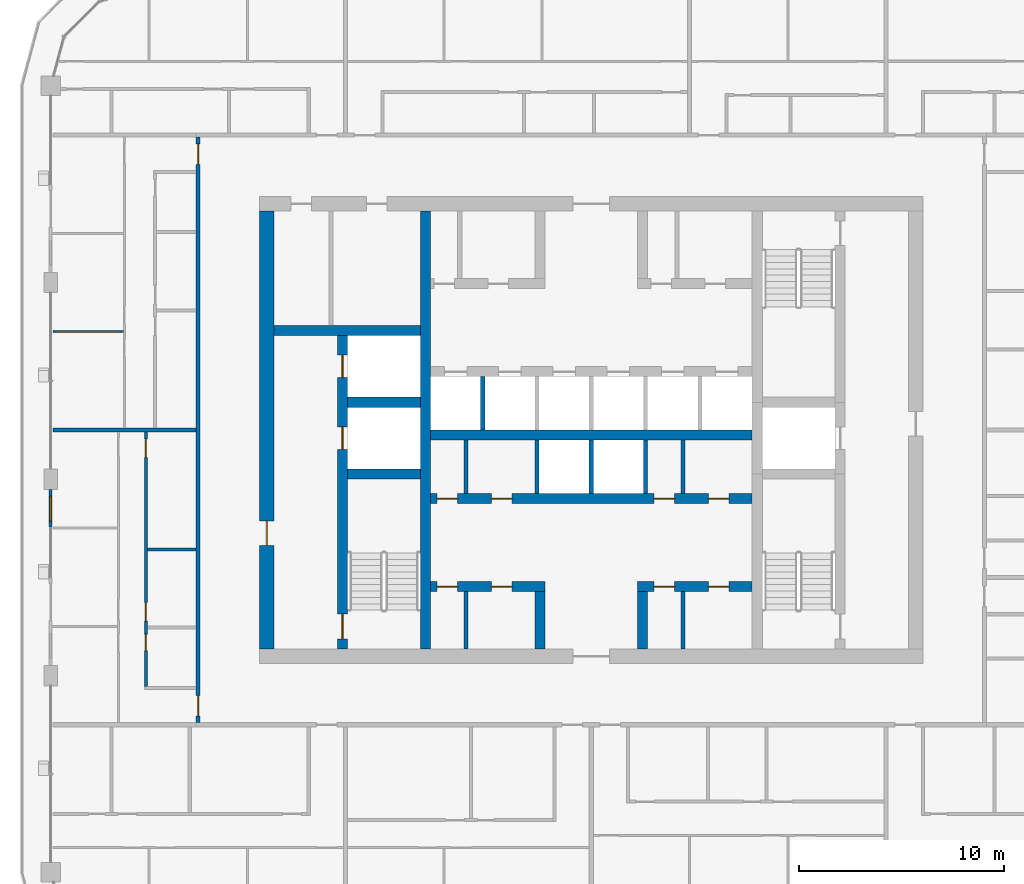
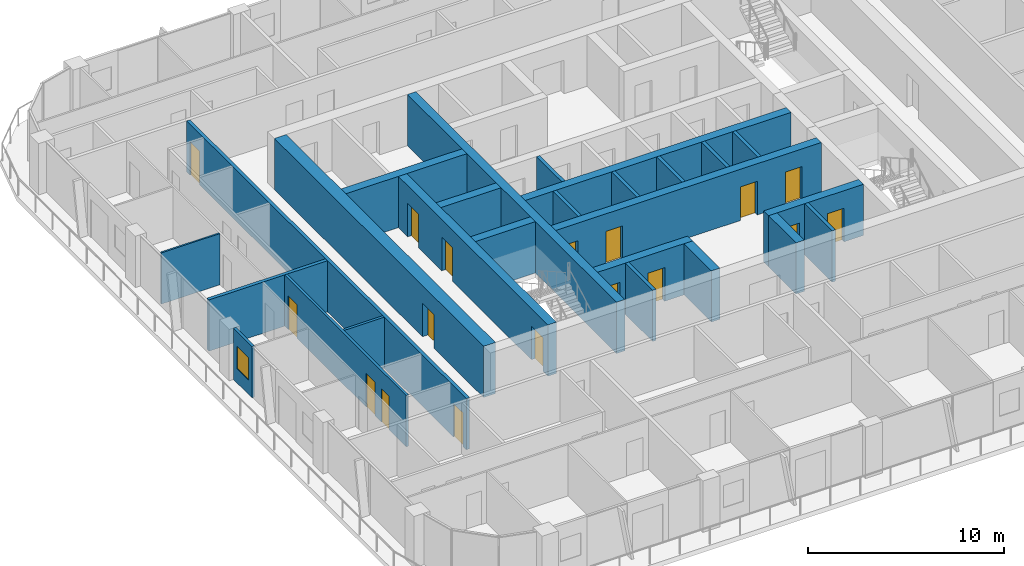
# One storey, part 10 of 22: 26 walls, 17 doors, 1 window, 18 openings.
"""IFC4 building model written with IfcOpenShell, lengths in metres."""

from ifc_helpers import new_model, si_unit, direction, frame, frame_2d, origin, place, context, subcontext, project, spatial, rectangle, extrude, material, layer, layer_set, type_object, element, fill, save


model = new_model("IFC4")

# Units and contexts
model_context = context("Model", 3, precision=1e-05, world=origin(), true_north=direction((0.0, 1.0)))
body_context = subcontext(model_context, "Body", "Model", "MODEL_VIEW")
ifc_project = project(units=[si_unit("LENGTHUNIT", "METRE"), si_unit("AREAUNIT", "SQUARE_METRE"), si_unit("VOLUMEUNIT", "CUBIC_METRE"), si_unit("PLANEANGLEUNIT", "RADIAN"), si_unit("MASSUNIT", "GRAM", prefix="KILO")], contexts=[model_context])

# Site, building, storey
site_placement = place(None, origin())
site = spatial("IfcSite", under=ifc_project, at=site_placement, CompositionType="ELEMENT")
building_placement = place(site_placement, origin())
building = spatial("IfcBuilding", under=site, at=building_placement, Name="Madar Terraces", CompositionType="ELEMENT")
storey_placement = place(building_placement, frame((0.0, 0.0, 189.39990234375)))
storey = spatial("IfcBuildingStorey", under=building, at=storey_placement, Name="L49", CompositionType="ELEMENT", Elevation=189.39990234375)

# Wall, openings, doors
ifc_material_1 = material(Name="Concrete C60/75", Category="concrete")
ifc_layer_1 = layer(ifc_material_1, 0.5)
ifc_layer_set_1 = layer_set([ifc_layer_1], Name="Concrete C60/75 (CIW4 RC wall 500)")
wall_type_1 = type_object("IfcWallType", Name="CIW4 RC wall 500", PredefinedType="SHEAR", material=ifc_layer_set_1)
wall_1_placement = place(storey_placement, frame((19.050048828125, 15.699951171875, 0.0), z_axis=(0.0, 0.0, 1.0), x_axis=(0.0, 1.0, 0.0)))
wall_1 = element("IfcWall", 1, at=wall_1_placement, inside=storey, type_object=wall_type_1, Name="CORE SHAFT WALL", PredefinedType="SHEAR", context=body_context, shape_type="SweptSolid", body=[
    extrude(rectangle(XDim=15.300048828125, YDim=0.5, at=frame_2d((7.64990234375, 0.0))), origin(), (0.0, 0.0, 1.0), 3.2001953125),
])
opening_1_placement = place(wall_1_placement, frame((9.75, 0.0, 0.0)))
opening_1 = element("IfcOpeningElement", 2, at=opening_1_placement, cuts=wall_1, Name="Opening LD", PredefinedType="OPENING", context=body_context, shape_type="SweptSolid", body=[
    extrude(rectangle(XDim=1.10009765625, YDim=2.10009765625, at=frame_2d((0.550048828125, 1.050048828125))), frame((0.0, 0.260009765625, 0.0), z_axis=(0.0, -1.0, 0.0), x_axis=(1.0, 0.0, 0.0)), (0.0, 0.0, 1.0), 0.52001953125),
])
opening_2_placement = place(wall_1_placement, frame((13.25, 0.0, 0.0)))
opening_2 = element("IfcOpeningElement", 3, at=opening_2_placement, cuts=wall_1, Name="Opening LD", PredefinedType="OPENING", context=body_context, shape_type="SweptSolid", body=[
    extrude(rectangle(XDim=1.10009765625, YDim=2.10009765625, at=frame_2d((0.550048828125, 1.050048828125))), frame((0.0, 0.260009765625, 0.0), z_axis=(0.0, -1.0, 0.0), x_axis=(1.0, 0.0, 0.0)), (0.0, 0.0, 1.0), 0.52001953125),
])
opening_3_placement = place(wall_1_placement, frame((0.5, 0.0, 0.0)))
opening_3 = element("IfcOpeningElement", 4, at=opening_3_placement, cuts=wall_1, Name="Opening SD1", PredefinedType="OPENING", context=body_context, shape_type="SweptSolid", body=[
    extrude(rectangle(XDim=1.199951171875, YDim=2.10009765625, at=frame_2d((0.60009765625, 1.050048828125))), frame((0.0, 0.260009765625, 0.0), z_axis=(0.0, -1.0, 0.0), x_axis=(1.0, 0.0, 0.0)), (0.0, 0.0, 1.0), 0.52001953125),
])
ifc_material_2 = material(Name="Stainless steel panel", Category="steel")
door_type_1 = type_object("IfcDoorType", Name="Lift landing door 1100 x 2100", OperationType="DOUBLE_DOOR_SLIDING", PredefinedType="DOOR", material=ifc_material_2)
door_1_placement = place(opening_1_placement, origin())
door_1 = element("IfcDoor", 5, at=door_1_placement, inside=storey, type_object=door_type_1, Name="LIFT LANDING DOOR", OperationType="DOUBLE_DOOR_SLIDING", OverallHeight=2.10009765625, OverallWidth=1.10009765625, PredefinedType="DOOR", context=body_context, shape_type="SweptSolid", body=[
    extrude(rectangle(XDim=1.10009765625, YDim=2.10009765625, at=frame_2d((0.550048828125, 1.050048828125))), frame((0.0, 0.02490234375, 0.0), z_axis=(0.0, -1.0, 0.0), x_axis=(1.0, 0.0, 0.0)), (0.0, 0.0, 1.0), 0.050048828125),
])
fill(opening_1, door_1)
door_2_placement = place(opening_2_placement, origin())
door_2 = element("IfcDoor", 6, at=door_2_placement, inside=storey, type_object=door_type_1, Name="LIFT LANDING DOOR", OperationType="DOUBLE_DOOR_SLIDING", OverallHeight=2.10009765625, OverallWidth=1.10009765625, PredefinedType="DOOR", context=body_context, shape_type="SweptSolid", body=[
    extrude(rectangle(XDim=1.10009765625, YDim=2.10009765625, at=frame_2d((0.550048828125, 1.050048828125))), frame((0.0, 0.02490234375, 0.0), z_axis=(0.0, -1.0, 0.0), x_axis=(1.0, 0.0, 0.0)), (0.0, 0.0, 1.0), 0.050048828125),
])
fill(opening_2, door_2)
ifc_material_3 = material(Name="Steel door leaf", Category="steel")
door_type_2 = type_object("IfcDoorType", Name="Stair door 1200 x 2100", OperationType="NOTDEFINED", PredefinedType="DOOR", material=ifc_material_3)
door_3_placement = place(opening_3_placement, frame((1.199951171875, 0.0, 0.0), z_axis=(0.0, 0.0, 1.0), x_axis=(-1.0, 0.0, 0.0)))
door_3 = element("IfcDoor", 7, at=door_3_placement, inside=storey, type_object=door_type_2, Name="STAIR DOOR", OperationType="SINGLE_SWING_LEFT", OverallHeight=2.10009765625, OverallWidth=1.199951171875, PredefinedType="DOOR", context=body_context, shape_type="SweptSolid", body=[
    extrude(rectangle(XDim=1.199951171875, YDim=2.10009765625, at=frame_2d((0.60009765625, 1.050048828125))), frame((0.0, 0.02490234375, 0.0), z_axis=(0.0, -1.0, 0.0), x_axis=(1.0, 0.0, 0.0)), (0.0, 0.0, 1.0), 0.050048828125),
])
fill(opening_3, door_3)

# Walls
wall_2_placement = place(storey_placement, frame((23.10009765625, 15.699951171875, 0.0), z_axis=(0.0, 0.0, 1.0), x_axis=(0.0, 1.0, 0.0)))
element("IfcWall", 8, at=wall_2_placement, inside=storey, type_object=wall_type_1, Name="CORE SHAFT WALL", PredefinedType="SHEAR", context=body_context, shape_type="SweptSolid", body=[
    extrude(rectangle(XDim=21.400146484375, YDim=0.5, at=frame_2d((10.7001953125, 0.0))), origin(), (0.0, 0.0, 1.0), 3.2001953125),
])
for number, where, z_axis, x_axis, name in (
    (9, (19.300048828125, 24.25, 0.0), (0.0, 0.0, 1.0), (1.0, 0.0, 0.0), "CORE SHAFT WALL"),
    (10, (19.300048828125, 27.75, 0.0), (0.0, 0.0, 1.0), (1.0, 0.0, 0.0), "CORE SHAFT WALL"),
):
    element("IfcWall", number, at=place(storey_placement, frame(where, z_axis=z_axis, x_axis=x_axis)), inside=storey, type_object=wall_type_1, Name=name, PredefinedType="SHEAR", context=body_context, shape_type="SweptSolid", body=[
        extrude(rectangle(XDim=3.550048828125, YDim=0.5, at=frame_2d((1.77490234375, 0.0))), origin(), (0.0, 0.0, 1.0), 3.2001953125),
    ])
wall_3_placement = place(storey_placement, frame((15.699951171875, 31.25, 0.0), z_axis=(0.0, 0.0, 1.0), x_axis=(1.0, 0.0, 0.0)))
element("IfcWall", 11, at=wall_3_placement, inside=storey, type_object=wall_type_1, Name="CORE SHAFT WALL", PredefinedType="SHEAR", context=body_context, shape_type="SweptSolid", body=[
    extrude(rectangle(XDim=7.150146484375, YDim=0.5, at=frame_2d((3.5751953125, 0.0))), origin(), (0.0, 0.0, 1.0), 3.2001953125),
])

# Wall, openings, doors
wall_4_placement = place(storey_placement, frame((23.35009765625, 18.75, 0.0), z_axis=(0.0, 0.0, 1.0), x_axis=(1.0, 0.0, 0.0)))
wall_4 = element("IfcWall", 12, at=wall_4_placement, inside=storey, type_object=wall_type_1, Name="CORE SHAFT WALL", PredefinedType="SHEAR", context=body_context, shape_type="SweptSolid", body=[
    extrude(rectangle(XDim=5.599853515625, YDim=0.5, at=frame_2d((2.7998046875, 0.0))), origin(), (0.0, 0.0, 1.0), 3.2001953125),
])
opening_4_placement = place(wall_4_placement, frame((0.31689453125, 0.0, 0.0)))
opening_4 = element("IfcOpeningElement", 13, at=opening_4_placement, cuts=wall_4, Name="Opening KD2", PredefinedType="OPENING", context=body_context, shape_type="SweptSolid", body=[
    extrude(rectangle(XDim=1.0, YDim=2.10009765625, at=frame_2d((0.5, 1.050048828125))), frame((0.0, 0.260009765625, 0.0), z_axis=(0.0, -1.0, 0.0), x_axis=(1.0, 0.0, 0.0)), (0.0, 0.0, 1.0), 0.52001953125),
])
opening_5_placement = place(wall_4_placement, frame((2.967041015625, 0.0, 0.0)))
opening_5 = element("IfcOpeningElement", 14, at=opening_5_placement, cuts=wall_4, Name="Opening KD2", PredefinedType="OPENING", context=body_context, shape_type="SweptSolid", body=[
    extrude(rectangle(XDim=1.0, YDim=2.10009765625, at=frame_2d((0.5, 1.050048828125))), frame((0.0, 0.260009765625, 0.0), z_axis=(0.0, -1.0, 0.0), x_axis=(1.0, 0.0, 0.0)), (0.0, 0.0, 1.0), 0.52001953125),
])
ifc_material_4 = material(Name="Steel door leaf", Category="steel")
door_type_3 = type_object("IfcDoorType", Name="Service room door 1000 x 2100", OperationType="NOTDEFINED", PredefinedType="DOOR", material=ifc_material_4)
door_4_placement = place(opening_4_placement, origin())
door_4 = element("IfcDoor", 15, at=door_4_placement, inside=storey, type_object=door_type_3, Name="SERVICE ROOM DOOR", OperationType="SINGLE_SWING_RIGHT", OverallHeight=2.10009765625, OverallWidth=1.0, PredefinedType="DOOR", context=body_context, shape_type="SweptSolid", body=[
    extrude(rectangle(XDim=1.0, YDim=2.10009765625, at=frame_2d((0.5, 1.050048828125))), frame((0.0, 0.02490234375, 0.0), z_axis=(0.0, -1.0, 0.0), x_axis=(1.0, 0.0, 0.0)), (0.0, 0.0, 1.0), 0.050048828125),
])
fill(opening_4, door_4)
door_5_placement = place(opening_5_placement, origin())
door_5 = element("IfcDoor", 16, at=door_5_placement, inside=storey, type_object=door_type_3, Name="SERVICE ROOM DOOR", OperationType="SINGLE_SWING_LEFT", OverallHeight=2.10009765625, OverallWidth=1.0, PredefinedType="DOOR", context=body_context, shape_type="SweptSolid", body=[
    extrude(rectangle(XDim=1.0, YDim=2.10009765625, at=frame_2d((0.5, 1.050048828125))), frame((0.0, 0.02490234375, 0.0), z_axis=(0.0, -1.0, 0.0), x_axis=(1.0, 0.0, 0.0)), (0.0, 0.0, 1.0), 0.050048828125),
])
fill(opening_5, door_5)

wall_5_placement = place(storey_placement, frame((33.449951171875, 18.75, 0.0), z_axis=(0.0, 0.0, 1.0), x_axis=(1.0, 0.0, 0.0)))
wall_5 = element("IfcWall", 17, at=wall_5_placement, inside=storey, type_object=wall_type_1, Name="CORE SHAFT WALL", PredefinedType="SHEAR", context=body_context, shape_type="SweptSolid", body=[
    extrude(rectangle(XDim=5.60009765625, YDim=0.5, at=frame_2d((2.800048828125, 0.0))), origin(), (0.0, 0.0, 1.0), 3.2001953125),
])
opening_6_placement = place(wall_5_placement, frame((0.81689453125, 0.0, 0.0)))
opening_6 = element("IfcOpeningElement", 18, at=opening_6_placement, cuts=wall_5, Name="Opening KD2", PredefinedType="OPENING", context=body_context, shape_type="SweptSolid", body=[
    extrude(rectangle(XDim=1.0, YDim=2.10009765625, at=frame_2d((0.5, 1.050048828125))), frame((0.0, 0.260009765625, 0.0), z_axis=(0.0, -1.0, 0.0), x_axis=(1.0, 0.0, 0.0)), (0.0, 0.0, 1.0), 0.52001953125),
])
opening_7_placement = place(wall_5_placement, frame((3.467041015625, 0.0, 0.0)))
opening_7 = element("IfcOpeningElement", 19, at=opening_7_placement, cuts=wall_5, Name="Opening KD2", PredefinedType="OPENING", context=body_context, shape_type="SweptSolid", body=[
    extrude(rectangle(XDim=1.0, YDim=2.10009765625, at=frame_2d((0.5, 1.050048828125))), frame((0.0, 0.260009765625, 0.0), z_axis=(0.0, -1.0, 0.0), x_axis=(1.0, 0.0, 0.0)), (0.0, 0.0, 1.0), 0.52001953125),
])
door_6_placement = place(opening_6_placement, origin())
door_6 = element("IfcDoor", 20, at=door_6_placement, inside=storey, type_object=door_type_3, Name="SERVICE ROOM DOOR", OperationType="SINGLE_SWING_RIGHT", OverallHeight=2.10009765625, OverallWidth=1.0, PredefinedType="DOOR", context=body_context, shape_type="SweptSolid", body=[
    extrude(rectangle(XDim=1.0, YDim=2.10009765625, at=frame_2d((0.5, 1.050048828125))), frame((0.0, 0.02490234375, 0.0), z_axis=(0.0, -1.0, 0.0), x_axis=(1.0, 0.0, 0.0)), (0.0, 0.0, 1.0), 0.050048828125),
])
fill(opening_6, door_6)
door_7_placement = place(opening_7_placement, origin())
door_7 = element("IfcDoor", 21, at=door_7_placement, inside=storey, type_object=door_type_3, Name="SERVICE ROOM DOOR", OperationType="SINGLE_SWING_LEFT", OverallHeight=2.10009765625, OverallWidth=1.0, PredefinedType="DOOR", context=body_context, shape_type="SweptSolid", body=[
    extrude(rectangle(XDim=1.0, YDim=2.10009765625, at=frame_2d((0.5, 1.050048828125))), frame((0.0, 0.02490234375, 0.0), z_axis=(0.0, -1.0, 0.0), x_axis=(1.0, 0.0, 0.0)), (0.0, 0.0, 1.0), 0.050048828125),
])
fill(opening_7, door_7)

wall_6_placement = place(storey_placement, frame((23.35009765625, 23.050048828125, 0.0), z_axis=(0.0, 0.0, 1.0), x_axis=(1.0, 0.0, 0.0)))
wall_6 = element("IfcWall", 22, at=wall_6_placement, inside=storey, type_object=wall_type_1, Name="CORE SHAFT WALL", PredefinedType="SHEAR", context=body_context, shape_type="SweptSolid", body=[
    extrude(rectangle(XDim=15.699951171875, YDim=0.5, at=frame_2d((7.85009765625, 0.0))), origin(), (0.0, 0.0, 1.0), 3.2001953125),
])
opening_8_placement = place(wall_6_placement, frame((0.31689453125, 0.0, 0.0)))
opening_8 = element("IfcOpeningElement", 23, at=opening_8_placement, cuts=wall_6, Name="Opening KD2", PredefinedType="OPENING", context=body_context, shape_type="SweptSolid", body=[
    extrude(rectangle(XDim=1.0, YDim=2.10009765625, at=frame_2d((0.5, 1.050048828125))), frame((0.0, 0.260009765625, 0.0), z_axis=(0.0, -1.0, 0.0), x_axis=(1.0, 0.0, 0.0)), (0.0, 0.0, 1.0), 0.52001953125),
])
opening_9_placement = place(wall_6_placement, frame((2.967041015625, 0.0, 0.0)))
opening_9 = element("IfcOpeningElement", 24, at=opening_9_placement, cuts=wall_6, Name="Opening KD2", PredefinedType="OPENING", context=body_context, shape_type="SweptSolid", body=[
    extrude(rectangle(XDim=1.0, YDim=2.10009765625, at=frame_2d((0.5, 1.050048828125))), frame((0.0, 0.260009765625, 0.0), z_axis=(0.0, -1.0, 0.0), x_axis=(1.0, 0.0, 0.0)), (0.0, 0.0, 1.0), 0.52001953125),
])
opening_10_placement = place(wall_6_placement, frame((10.9169921875, 0.0, 0.0)))
opening_10 = element("IfcOpeningElement", 25, at=opening_10_placement, cuts=wall_6, Name="Opening KD2", PredefinedType="OPENING", context=body_context, shape_type="SweptSolid", body=[
    extrude(rectangle(XDim=1.0, YDim=2.10009765625, at=frame_2d((0.5, 1.050048828125))), frame((0.0, 0.260009765625, 0.0), z_axis=(0.0, -1.0, 0.0), x_axis=(1.0, 0.0, 0.0)), (0.0, 0.0, 1.0), 0.52001953125),
])
opening_11_placement = place(wall_6_placement, frame((13.56689453125, 0.0, 0.0)))
opening_11 = element("IfcOpeningElement", 26, at=opening_11_placement, cuts=wall_6, Name="Opening KD2", PredefinedType="OPENING", context=body_context, shape_type="SweptSolid", body=[
    extrude(rectangle(XDim=1.0, YDim=2.10009765625, at=frame_2d((0.5, 1.050048828125))), frame((0.0, 0.260009765625, 0.0), z_axis=(0.0, -1.0, 0.0), x_axis=(1.0, 0.0, 0.0)), (0.0, 0.0, 1.0), 0.52001953125),
])
door_8_placement = place(opening_8_placement, frame((1.0, 0.0, 0.0), z_axis=(0.0, 0.0, 1.0), x_axis=(-1.0, 0.0, 0.0)))
door_8 = element("IfcDoor", 27, at=door_8_placement, inside=storey, type_object=door_type_3, Name="SERVICE ROOM DOOR", OperationType="SINGLE_SWING_RIGHT", OverallHeight=2.10009765625, OverallWidth=1.0, PredefinedType="DOOR", context=body_context, shape_type="SweptSolid", body=[
    extrude(rectangle(XDim=1.0, YDim=2.10009765625, at=frame_2d((0.5, 1.050048828125))), frame((0.0, 0.02490234375, 0.0), z_axis=(0.0, -1.0, 0.0), x_axis=(1.0, 0.0, 0.0)), (0.0, 0.0, 1.0), 0.050048828125),
])
fill(opening_8, door_8)
door_9_placement = place(opening_9_placement, frame((1.0, 0.0, 0.0), z_axis=(0.0, 0.0, 1.0), x_axis=(-1.0, 0.0, 0.0)))
door_9 = element("IfcDoor", 28, at=door_9_placement, inside=storey, type_object=door_type_3, Name="SERVICE ROOM DOOR", OperationType="SINGLE_SWING_LEFT", OverallHeight=2.10009765625, OverallWidth=1.0, PredefinedType="DOOR", context=body_context, shape_type="SweptSolid", body=[
    extrude(rectangle(XDim=1.0, YDim=2.10009765625, at=frame_2d((0.5, 1.050048828125))), frame((0.0, 0.02490234375, 0.0), z_axis=(0.0, -1.0, 0.0), x_axis=(1.0, 0.0, 0.0)), (0.0, 0.0, 1.0), 0.050048828125),
])
fill(opening_9, door_9)
door_10_placement = place(opening_10_placement, frame((1.0, 0.0, 0.0), z_axis=(0.0, 0.0, 1.0), x_axis=(-1.0, 0.0, 0.0)))
door_10 = element("IfcDoor", 29, at=door_10_placement, inside=storey, type_object=door_type_3, Name="SERVICE ROOM DOOR", OperationType="SINGLE_SWING_RIGHT", OverallHeight=2.10009765625, OverallWidth=1.0, PredefinedType="DOOR", context=body_context, shape_type="SweptSolid", body=[
    extrude(rectangle(XDim=1.0, YDim=2.10009765625, at=frame_2d((0.5, 1.050048828125))), frame((0.0, 0.02490234375, 0.0), z_axis=(0.0, -1.0, 0.0), x_axis=(1.0, 0.0, 0.0)), (0.0, 0.0, 1.0), 0.050048828125),
])
fill(opening_10, door_10)
door_11_placement = place(opening_11_placement, frame((1.0, 0.0, 0.0), z_axis=(0.0, 0.0, 1.0), x_axis=(-1.0, 0.0, 0.0)))
door_11 = element("IfcDoor", 30, at=door_11_placement, inside=storey, type_object=door_type_3, Name="SERVICE ROOM DOOR", OperationType="SINGLE_SWING_LEFT", OverallHeight=2.10009765625, OverallWidth=1.0, PredefinedType="DOOR", context=body_context, shape_type="SweptSolid", body=[
    extrude(rectangle(XDim=1.0, YDim=2.10009765625, at=frame_2d((0.5, 1.050048828125))), frame((0.0, 0.02490234375, 0.0), z_axis=(0.0, -1.0, 0.0), x_axis=(1.0, 0.0, 0.0)), (0.0, 0.0, 1.0), 0.050048828125),
])
fill(opening_11, door_11)

# Walls
wall_7_placement = place(storey_placement, frame((23.35009765625, 26.14990234375, 0.0), z_axis=(0.0, 0.0, 1.0), x_axis=(1.0, 0.0, 0.0)))
element("IfcWall", 31, at=wall_7_placement, inside=storey, type_object=wall_type_1, Name="CORE SHAFT WALL", PredefinedType="SHEAR", context=body_context, shape_type="SweptSolid", body=[
    extrude(rectangle(XDim=15.699951171875, YDim=0.5, at=frame_2d((7.85009765625, 0.0))), origin(), (0.0, 0.0, 1.0), 3.2001953125),
])
for number, where, z_axis, x_axis, name in (
    (32, (28.699951171875, 15.699951171875, 0.0), (0.0, 0.0, 1.0), (0.0, 1.0, 0.0), "CORE SHAFT WALL"),
    (33, (33.699951171875, 15.699951171875, 0.0), (0.0, 0.0, 1.0), (0.0, 1.0, 0.0), "CORE SHAFT WALL"),
):
    element("IfcWall", number, at=place(storey_placement, frame(where, z_axis=z_axis, x_axis=x_axis)), inside=storey, type_object=wall_type_1, Name=name, PredefinedType="SHEAR", context=body_context, shape_type="SweptSolid", body=[
        extrude(rectangle(XDim=2.800048828125, YDim=0.5, at=frame_2d((1.39990234375, 0.0))), origin(), (0.0, 0.0, 1.0), 3.2001953125),
    ])

# Wall, opening, door
ifc_material_5 = material(Name="Concrete C60/75", Category="concrete")
ifc_layer_2 = layer(ifc_material_5, 0.699951171875)
ifc_layer_set_2 = layer_set([ifc_layer_2], Name="Concrete C60/75 (CRW4 RC wall 700)")
wall_type_2 = type_object("IfcWallType", Name="CRW4 RC wall 700", PredefinedType="SHEAR", material=ifc_layer_set_2)
wall_8_placement = place(storey_placement, frame((15.35009765625, 15.699951171875, 0.0), z_axis=(0.0, 0.0, 1.0), x_axis=(0.0, 1.0, 0.0)))
wall_8 = element("IfcWall", 34, at=wall_8_placement, inside=storey, type_object=wall_type_2, Name="CORE OUTER WALL", PredefinedType="SHEAR", context=body_context, shape_type="SweptSolid", body=[
    extrude(rectangle(XDim=21.400146484375, YDim=0.699951171875, at=frame_2d((10.7001953125, 0.0))), origin(), (0.0, 0.0, 1.0), 3.2001953125),
])
opening_12_placement = place(wall_8_placement, frame((5.06005859375, 0.0, 0.0)))
opening_12 = element("IfcOpeningElement", 35, at=opening_12_placement, cuts=wall_8, Name="Opening SD1", PredefinedType="OPENING", context=body_context, shape_type="SweptSolid", body=[
    extrude(rectangle(XDim=1.199951171875, YDim=2.10009765625, at=frame_2d((0.60009765625, 1.050048828125))), frame((0.0, 0.35986328125, 0.0), z_axis=(0.0, -1.0, 0.0), x_axis=(1.0, 0.0, 0.0)), (0.0, 0.0, 1.0), 0.719970703125),
])
door_12_placement = place(opening_12_placement, frame((1.199951171875, 0.0, 0.0), z_axis=(0.0, 0.0, 1.0), x_axis=(-1.0, 0.0, 0.0)))
door_12 = element("IfcDoor", 36, at=door_12_placement, inside=storey, type_object=door_type_2, Name="STAIR DOOR", OperationType="SINGLE_SWING_RIGHT", OverallHeight=2.10009765625, OverallWidth=1.199951171875, PredefinedType="DOOR", context=body_context, shape_type="SweptSolid", body=[
    extrude(rectangle(XDim=1.199951171875, YDim=2.10009765625, at=frame_2d((0.60009765625, 1.050048828125))), frame((0.0, 0.02490234375, 0.0), z_axis=(0.0, -1.0, 0.0), x_axis=(1.0, 0.0, 0.0)), (0.0, 0.0, 1.0), 0.050048828125),
])
fill(opening_12, door_12)

# Walls
ifc_material_6 = material(Name="Masonry blockwork", Category="masonry")
ifc_layer_3 = layer(ifc_material_6, 0.199951171875)
ifc_layer_set_3 = layer_set([ifc_layer_3], Name="Core partition 200 blockwork")
wall_type_3 = type_object("IfcWallType", Name="Core partition 200 blockwork", PredefinedType="PARTITIONING", material=ifc_layer_set_3)
for number, where, z_axis, x_axis, name in (
    (37, (25.083984375, 23.300048828125, 0.0), (0.0, 0.0, 1.0), (0.0, 1.0, 0.0), "SERVICE ROOM PARTITION"),
    (38, (35.68408203125, 23.300048828125, 0.0), (0.0, 0.0, 1.0), (0.0, 1.0, 0.0), "SERVICE ROOM PARTITION"),
):
    element("IfcWall", number, at=place(storey_placement, frame(where, z_axis=z_axis, x_axis=x_axis)), inside=storey, type_object=wall_type_3, Name=name, PredefinedType="PARTITIONING", context=body_context, shape_type="SweptSolid", body=[
        extrude(rectangle(XDim=2.599853515625, YDim=0.199951171875, at=frame_2d((1.2998046875, 0.0))), origin(), (0.0, 0.0, 1.0), 3.2001953125),
    ])
for number, where, z_axis, x_axis, name in (
    (39, (25.083984375, 15.699951171875, 0.0), (0.0, 0.0, 1.0), (0.0, 1.0, 0.0), "SERVICE ROOM PARTITION"),
    (40, (35.68408203125, 15.699951171875, 0.0), (0.0, 0.0, 1.0), (0.0, 1.0, 0.0), "SERVICE ROOM PARTITION"),
):
    element("IfcWall", number, at=place(storey_placement, frame(where, z_axis=z_axis, x_axis=x_axis)), inside=storey, type_object=wall_type_3, Name=name, PredefinedType="PARTITIONING", context=body_context, shape_type="SweptSolid", body=[
        extrude(rectangle(XDim=2.800048828125, YDim=0.199951171875, at=frame_2d((1.39990234375, 0.0))), origin(), (0.0, 0.0, 1.0), 3.2001953125),
    ])
ifc_material_7 = material(Name="Concrete C40/50", Category="concrete")
ifc_layer_4 = layer(ifc_material_7, 0.199951171875)
ifc_layer_set_4 = layer_set([ifc_layer_4], Name="Core shaft dividing wall 200 C40/50")
wall_type_4 = type_object("IfcWallType", Name="Core shaft dividing wall 200 C40/50", PredefinedType="SOLIDWALL", material=ifc_layer_set_4)
wall_9_placement = place(storey_placement, frame((25.89990234375, 26.39990234375, 0.0), z_axis=(0.0, 0.0, 1.0), x_axis=(0.0, 1.0, 0.0)))
element("IfcWall", 41, at=wall_9_placement, inside=storey, type_object=wall_type_4, Name="SHAFT DIVIDING WALL", PredefinedType="SOLIDWALL", context=body_context, shape_type="SweptSolid", body=[
    extrude(rectangle(XDim=2.60009765625, YDim=0.199951171875, at=frame_2d((1.300048828125, 0.0))), origin(), (0.0, 0.0, 1.0), 3.2001953125),
])
for number, where, z_axis, x_axis, name in (
    (42, (28.550048828125, 23.300048828125, 0.0), (0.0, 0.0, 1.0), (0.0, 1.0, 0.0), "SHAFT DIVIDING WALL"),
    (43, (31.199951171875, 23.300048828125, 0.0), (0.0, 0.0, 1.0), (0.0, 1.0, 0.0), "SHAFT DIVIDING WALL"),
    (44, (33.85009765625, 23.300048828125, 0.0), (0.0, 0.0, 1.0), (0.0, 1.0, 0.0), "SHAFT DIVIDING WALL"),
):
    element("IfcWall", number, at=place(storey_placement, frame(where, z_axis=z_axis, x_axis=x_axis)), inside=storey, type_object=wall_type_4, Name=name, PredefinedType="SOLIDWALL", context=body_context, shape_type="SweptSolid", body=[
        extrude(rectangle(XDim=2.599853515625, YDim=0.199951171875, at=frame_2d((1.2998046875, 0.0))), origin(), (0.0, 0.0, 1.0), 3.2001953125),
    ])

# Wall, opening, window
ifc_material_8 = material(Name="Aluminium composite panel, black, over insulated backing", Category="aluminium")
ifc_layer_5 = layer(ifc_material_8, 0.14990234375)
ifc_layer_set_5 = layer_set([ifc_layer_5], Name="Facade bay panel 150")
wall_type_5 = type_object("IfcWallType", Name="Facade bay panel 150", PredefinedType="SOLIDWALL", material=ifc_layer_set_5)
wall_10_placement = place(storey_placement, frame((4.800048828125, 23.5, 0.0), z_axis=(0.0, 0.0, 1.0), x_axis=(0.0, -1.0, 0.0)))
wall_10 = element("IfcWall", 45, at=wall_10_placement, inside=storey, type_object=wall_type_5, Name="Facade bay panel", PredefinedType="SOLIDWALL", context=body_context, shape_type="SweptSolid", body=[
    extrude(rectangle(XDim=1.89990234375, YDim=0.14990234375, at=frame_2d((0.949951171875, 0.0))), origin(), (0.0, 0.0, 1.0), 3.2001953125),
])
opening_13_placement = place(wall_10_placement, frame((0.35009765625, 0.0, 0.89990234375)))
opening_13 = element("IfcOpeningElement", 46, at=opening_13_placement, cuts=wall_10, Name="Opening W1", PredefinedType="OPENING", context=body_context, shape_type="SweptSolid", body=[
    extrude(rectangle(XDim=1.199951171875, YDim=1.39990234375, at=frame_2d((0.60009765625, 0.699951171875))), frame((0.0, 0.0849609375, 0.0), z_axis=(0.0, -1.0, 0.0), x_axis=(1.0, 0.0, 0.0)), (0.0, 0.0, 1.0), 0.169921875),
])
ifc_material_9 = material(Name="Glass, clear, with black aluminium frame", Category="aluminium")
window_type = type_object("IfcWindowType", Name="Vent window 1200 x 1400", PartitioningType="SINGLE_PANEL", PredefinedType="WINDOW", material=ifc_material_9)
window_placement = place(opening_13_placement, origin())
window = element("IfcWindow", 47, at=window_placement, inside=storey, type_object=window_type, Name="Operable vent window", OverallHeight=1.39990234375, OverallWidth=1.199951171875, PartitioningType="SINGLE_PANEL", PredefinedType="WINDOW", context=body_context, shape_type="SweptSolid", body=[
    extrude(rectangle(XDim=1.199951171875, YDim=1.39990234375, at=frame_2d((0.60009765625, 0.699951171875))), frame((0.0, 0.030029296875, 0.0), z_axis=(0.0, -1.0, 0.0), x_axis=(1.0, 0.0, 0.0)), (0.0, 0.0, 1.0), 0.06005859375),
])
fill(opening_13, window)

# Wall
ifc_material_10 = material(Name="Gypsum board on steel studs", Category="steel")
ifc_layer_6 = layer(ifc_material_10, 0.10009765625)
ifc_layer_set_6 = layer_set([ifc_layer_6], Name="Flat partition 100")
wall_type_6 = type_object("IfcWallType", Name="Flat partition 100", PredefinedType="PARTITIONING", material=ifc_layer_set_6)
wall_11_placement = place(storey_placement, frame((8.35009765625, 31.199951171875, 0.0), z_axis=(0.0, 0.0, 1.0), x_axis=(-1.0, 0.0, 0.0)))
element("IfcWall", 48, at=wall_11_placement, inside=storey, type_object=wall_type_6, Name="Flat partition 100", PredefinedType="PARTITIONING", context=body_context, shape_type="SweptSolid", body=[
    extrude(rectangle(XDim=3.4501953125, YDim=0.10009765625, at=frame_2d((1.72509765625, 0.0))), origin(), (0.0, 0.0, 1.0), 3.2001953125),
])

# Wall, openings, doors
ifc_material_11 = material(Name="Lightweight blockwork", Category="masonry")
ifc_layer_7 = layer(ifc_material_11, 0.199951171875)
ifc_layer_set_7 = layer_set([ifc_layer_7], Name="Flat party and entrance wall 200")
wall_type_7 = type_object("IfcWallType", Name="Flat party and entrance wall 200", PredefinedType="PARTITIONING", material=ifc_layer_set_7)
wall_12_placement = place(storey_placement, frame((12.0, 12.10009765625, 0.0), z_axis=(0.0, 0.0, 1.0), x_axis=(0.0, 1.0, 0.0)))
wall_12 = element("IfcWall", 49, at=wall_12_placement, inside=storey, type_object=wall_type_7, Name="Flat party and entrance wall 200", PredefinedType="PARTITIONING", context=body_context, shape_type="SweptSolid", body=[
    extrude(rectangle(XDim=28.599853515625, YDim=0.199951171875, at=frame_2d((14.2998046875, 0.0))), origin(), (0.0, 0.0, 1.0), 3.2001953125),
])
opening_14_placement = place(wall_12_placement, frame((27.27490234375, 0.0, 0.0)))
opening_14 = element("IfcOpeningElement", 50, at=opening_14_placement, cuts=wall_12, Name="Opening D1", PredefinedType="OPENING", context=body_context, shape_type="SweptSolid", body=[
    extrude(rectangle(XDim=1.0, YDim=2.10009765625, at=frame_2d((0.5, 1.050048828125))), frame((0.0, 0.10986328125, 0.0), z_axis=(0.0, -1.0, 0.0), x_axis=(1.0, 0.0, 0.0)), (0.0, 0.0, 1.0), 0.219970703125),
])
opening_15_placement = place(wall_12_placement, frame((0.324951171875, 0.0, 0.0)))
opening_15 = element("IfcOpeningElement", 51, at=opening_15_placement, cuts=wall_12, Name="Opening D1", PredefinedType="OPENING", context=body_context, shape_type="SweptSolid", body=[
    extrude(rectangle(XDim=1.0, YDim=2.10009765625, at=frame_2d((0.5, 1.050048828125))), frame((0.0, 0.10986328125, 0.0), z_axis=(0.0, -1.0, 0.0), x_axis=(1.0, 0.0, 0.0)), (0.0, 0.0, 1.0), 0.219970703125),
])
ifc_material_12 = material(Name="Timber fire door leaf", Category="wood")
door_type_4 = type_object("IfcDoorType", Name="Flat entrance door 1000 FD30S", OperationType="NOTDEFINED", PredefinedType="DOOR", material=ifc_material_12)
door_13_placement = place(opening_14_placement, origin())
door_13 = element("IfcDoor", 52, at=door_13_placement, inside=storey, type_object=door_type_4, Name="Flat entrance door 1000 FD30S", OperationType="SINGLE_SWING_RIGHT", OverallHeight=2.10009765625, OverallWidth=1.0, PredefinedType="DOOR", context=body_context, shape_type="SweptSolid", body=[
    extrude(rectangle(XDim=1.0, YDim=2.10009765625, at=frame_2d((0.5, 1.050048828125))), frame((0.0, 0.02490234375, 0.0), z_axis=(0.0, -1.0, 0.0), x_axis=(1.0, 0.0, 0.0)), (0.0, 0.0, 1.0), 0.050048828125),
])
fill(opening_14, door_13)
door_14_placement = place(opening_15_placement, origin())
door_14 = element("IfcDoor", 53, at=door_14_placement, inside=storey, type_object=door_type_4, Name="Flat entrance door 1000 FD30S", OperationType="SINGLE_SWING_LEFT", OverallHeight=2.10009765625, OverallWidth=1.0, PredefinedType="DOOR", context=body_context, shape_type="SweptSolid", body=[
    extrude(rectangle(XDim=1.0, YDim=2.10009765625, at=frame_2d((0.5, 1.050048828125))), frame((0.0, 0.02490234375, 0.0), z_axis=(0.0, -1.0, 0.0), x_axis=(1.0, 0.0, 0.0)), (0.0, 0.0, 1.0), 0.050048828125),
])
fill(opening_15, door_14)

# Walls
wall_13_placement = place(storey_placement, frame((4.89990234375, 26.39990234375, 0.0), z_axis=(0.0, 0.0, 1.0), x_axis=(1.0, 0.0, 0.0)))
element("IfcWall", 54, at=wall_13_placement, inside=storey, type_object=wall_type_7, Name="Flat party and entrance wall 200", PredefinedType="PARTITIONING", context=body_context, shape_type="SweptSolid", body=[
    extrude(rectangle(XDim=7.0, YDim=0.199951171875, at=frame_2d((3.5, 0.0))), origin(), (0.0, 0.0, 1.0), 3.2001953125),
])
ifc_material_13 = material(Name="Lightweight blockwork", Category="masonry")
ifc_layer_8 = layer(ifc_material_13, 0.14990234375)
ifc_layer_set_8 = layer_set([ifc_layer_8], Name="Flat wet-room partition 150")
wall_type_8 = type_object("IfcWallType", Name="Flat wet-room partition 150", PredefinedType="PARTITIONING", material=ifc_layer_set_8)
wall_14_placement = place(storey_placement, frame((11.89990234375, 20.5654296875, 0.0), z_axis=(0.0, 0.0, 1.0), x_axis=(-1.0, 0.0, 0.0)))
element("IfcWall", 55, at=wall_14_placement, inside=storey, type_object=wall_type_8, Name="Flat wet-room partition 150", PredefinedType="PARTITIONING", context=body_context, shape_type="SweptSolid", body=[
    extrude(rectangle(XDim=2.375, YDim=0.14990234375, at=frame_2d((1.1875, 0.0))), origin(), (0.0, 0.0, 1.0), 3.2001953125),
])

# Wall, openings, doors
wall_15_placement = place(storey_placement, frame((9.449951171875, 26.300048828125, 0.0), z_axis=(0.0, 0.0, 1.0), x_axis=(0.0, -1.0, 0.0)))
wall_15 = element("IfcWall", 56, at=wall_15_placement, inside=storey, type_object=wall_type_8, Name="Flat wet-room partition 150", PredefinedType="PARTITIONING", context=body_context, shape_type="SweptSolid", body=[
    extrude(rectangle(XDim=12.425048828125, YDim=0.14990234375, at=frame_2d((6.21240234375, 0.0))), origin(), (0.0, 0.0, 1.0), 3.2001953125),
])
opening_16_placement = place(wall_15_placement, frame((9.8828125, 0.0, 0.0)))
opening_16 = element("IfcOpeningElement", 57, at=opening_16_placement, cuts=wall_15, Name="Opening D4", PredefinedType="OPENING", context=body_context, shape_type="SweptSolid", body=[
    extrude(rectangle(XDim=0.800048828125, YDim=2.10009765625, at=frame_2d((0.39990234375, 1.050048828125))), frame((0.0, 0.0849609375, 0.0), z_axis=(0.0, -1.0, 0.0), x_axis=(1.0, 0.0, 0.0)), (0.0, 0.0, 1.0), 0.169921875),
])
opening_17_placement = place(wall_15_placement, frame((8.332763671875, 0.0, 0.0)))
opening_17 = element("IfcOpeningElement", 58, at=opening_17_placement, cuts=wall_15, Name="Opening D5", PredefinedType="OPENING", context=body_context, shape_type="SweptSolid", body=[
    extrude(rectangle(XDim=0.89990234375, YDim=2.10009765625, at=frame_2d((0.449951171875, 1.050048828125))), frame((0.0, 0.0849609375, 0.0), z_axis=(0.0, -1.0, 0.0), x_axis=(1.0, 0.0, 0.0)), (0.0, 0.0, 1.0), 0.169921875),
])
opening_18_placement = place(wall_15_placement, frame((0.35009765625, 0.0, 0.0)))
opening_18 = element("IfcOpeningElement", 59, at=opening_18_placement, cuts=wall_15, Name="Opening D2", PredefinedType="OPENING", context=body_context, shape_type="SweptSolid", body=[
    extrude(rectangle(XDim=0.89990234375, YDim=2.10009765625, at=frame_2d((0.449951171875, 1.050048828125))), frame((0.0, 0.0849609375, 0.0), z_axis=(0.0, -1.0, 0.0), x_axis=(1.0, 0.0, 0.0)), (0.0, 0.0, 1.0), 0.169921875),
])
ifc_material_14 = material(Name="Timber door leaf", Category="wood")
door_type_5 = type_object("IfcDoorType", Name="Flat accessible bathroom door 900", OperationType="NOTDEFINED", PredefinedType="DOOR", material=ifc_material_14)
door_15_placement = place(opening_17_placement, origin())
door_15 = element("IfcDoor", 60, at=door_15_placement, inside=storey, type_object=door_type_5, Name="Flat accessible bathroom door 900", OperationType="SINGLE_SWING_RIGHT", OverallHeight=2.10009765625, OverallWidth=0.89990234375, PredefinedType="DOOR", context=body_context, shape_type="SweptSolid", body=[
    extrude(rectangle(XDim=0.89990234375, YDim=2.10009765625, at=frame_2d((0.449951171875, 1.050048828125))), frame((0.0, 0.02490234375, 0.0), z_axis=(0.0, -1.0, 0.0), x_axis=(1.0, 0.0, 0.0)), (0.0, 0.0, 1.0), 0.050048828125),
])
fill(opening_17, door_15)
ifc_material_15 = material(Name="Timber door leaf", Category="wood")
door_type_6 = type_object("IfcDoorType", Name="Flat bathroom door 800", OperationType="NOTDEFINED", PredefinedType="DOOR", material=ifc_material_15)
door_16_placement = place(opening_16_placement, origin())
door_16 = element("IfcDoor", 61, at=door_16_placement, inside=storey, type_object=door_type_6, Name="Flat bathroom door 800", OperationType="SINGLE_SWING_LEFT", OverallHeight=2.10009765625, OverallWidth=0.800048828125, PredefinedType="DOOR", context=body_context, shape_type="SweptSolid", body=[
    extrude(rectangle(XDim=0.800048828125, YDim=2.10009765625, at=frame_2d((0.39990234375, 1.050048828125))), frame((0.0, 0.02490234375, 0.0), z_axis=(0.0, -1.0, 0.0), x_axis=(1.0, 0.0, 0.0)), (0.0, 0.0, 1.0), 0.050048828125),
])
fill(opening_16, door_16)
ifc_material_16 = material(Name="Timber door leaf", Category="wood")
door_type_7 = type_object("IfcDoorType", Name="Flat room door 900", OperationType="NOTDEFINED", PredefinedType="DOOR", material=ifc_material_16)
door_17_placement = place(opening_18_placement, origin())
door_17 = element("IfcDoor", 62, at=door_17_placement, inside=storey, type_object=door_type_7, Name="Flat room door 900", OperationType="SINGLE_SWING_LEFT", OverallHeight=2.10009765625, OverallWidth=0.89990234375, PredefinedType="DOOR", context=body_context, shape_type="SweptSolid", body=[
    extrude(rectangle(XDim=0.89990234375, YDim=2.10009765625, at=frame_2d((0.449951171875, 1.050048828125))), frame((0.0, 0.02490234375, 0.0), z_axis=(0.0, -1.0, 0.0), x_axis=(1.0, 0.0, 0.0)), (0.0, 0.0, 1.0), 0.050048828125),
])
fill(opening_18, door_17)

save(model, "model.ifc")
